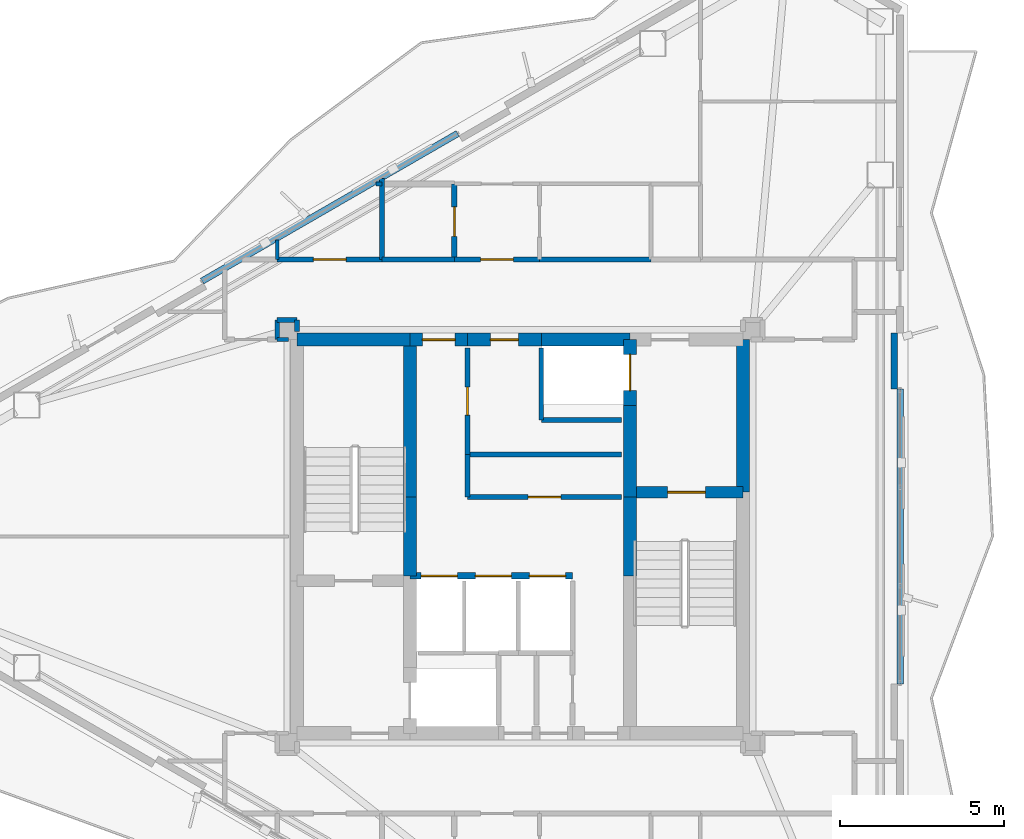
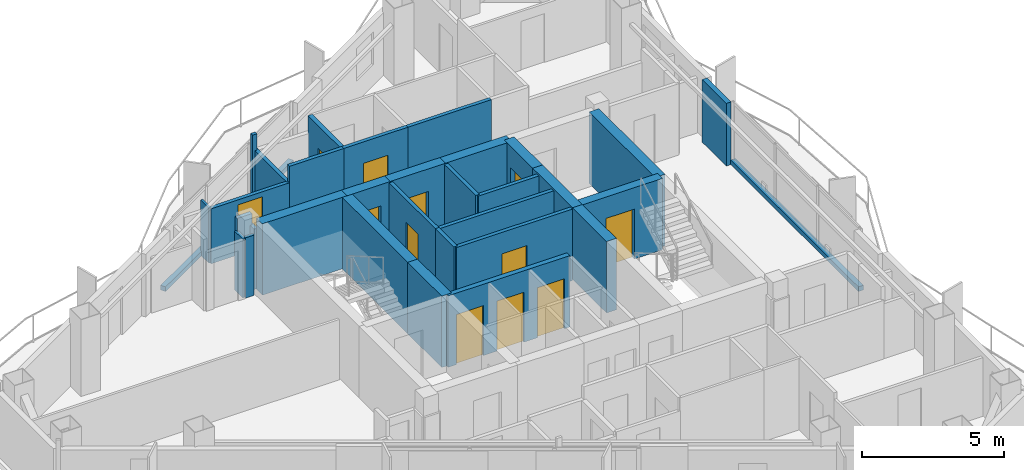
# One storey, part 18 of 22: 33 walls, 12 doors, 12 openings.
"""IFC4 building model written with IfcOpenShell, lengths in metres."""

import ifcopenshell
import ifcopenshell.guid

model = None  # the IFC model being written
_history = None  # IfcOwnerHistory: only IFC2X3 demands one
_inside = {}  # id of a spatial element -> (the spatial element, [elements in it])
_under = {}  # id of a project, library or spatial element -> (it, [spatial elements below it])
_declared = {}  # id of a project -> (the project, [libraries it declares])
_typed = {}  # id of a type object -> (the type object, [elements of that type])
_made_of = {}  # id of a material, layer set ... -> (it, [elements and type objects made of it])


def new_model(schema):
    """Start an empty IFC model of exactly this schema.

    Asked for "IFC4X3", IfcOpenShell would pick the latest addendum, in which some entities
    have other attributes; the version numbers below select the first issue.
    IFC2X3 requires an IfcOwnerHistory on every rooted entity: one is made here for all.
    """
    global model, _history
    if schema == "IFC4X3":
        model = ifcopenshell.file(schema_version=(4, 3, 0, 0))
    else:
        model = ifcopenshell.file(schema=schema)
    _inside.clear()
    _under.clear()
    _declared.clear()
    _typed.clear()
    _made_of.clear()
    _history = None
    if model.schema == "IFC2X3":
        org = make("IfcOrganization", Name="unknown")
        user = make(
            "IfcPersonAndOrganization",
            ThePerson=make("IfcPerson", FamilyName="unknown"),
            TheOrganization=org,
        )
        app = make(
            "IfcApplication",
            ApplicationDeveloper=org,
            Version="unknown",
            ApplicationFullName="unknown",
            ApplicationIdentifier="unknown",
        )
        _history = make(
            "IfcOwnerHistory",
            OwningUser=user,
            OwningApplication=app,
            ChangeAction="ADDED",
            CreationDate=0,
        )
    return model


def make(cls, **values):
    """One entity of the class cls with the attributes given. An attribute that is None is left unset."""
    return model.create_entity(
        cls, **{name: value for name, value in values.items() if value is not None}
    )


def rooted(cls, **values):
    """An entity with a GlobalId (a new one), such as an element, a storey or a relation."""
    return make(cls, GlobalId=ifcopenshell.guid.new(), OwnerHistory=_history, **values)


def si_unit(unit_type, name, prefix=None):
    """IfcSIUnit, for example si_unit("LENGTHUNIT", "METRE", prefix="MILLI")."""
    return make("IfcSIUnit", UnitType=unit_type, Prefix=prefix, Name=name)


def assignment(units):
    """IfcUnitAssignment: the units of a project."""
    return None if units is None else make("IfcUnitAssignment", Units=units)


def point(xyz):
    """IfcCartesianPoint."""
    return None if xyz is None else make("IfcCartesianPoint", Coordinates=xyz)


def direction(xyz):
    """IfcDirection."""
    return None if xyz is None else make("IfcDirection", DirectionRatios=xyz)


def frame(location, z_axis=None, x_axis=None):
    """IfcAxis2Placement3D, a coordinate frame: its origin and axes. An axis left out is left unset."""
    return make(
        "IfcAxis2Placement3D",
        Location=point(location),
        Axis=direction(z_axis),
        RefDirection=direction(x_axis),
    )


def frame_2d(location, x_axis=None):
    """IfcAxis2Placement2D, a coordinate frame in the plane: its origin and x axis."""
    return make(
        "IfcAxis2Placement2D", Location=point(location), RefDirection=direction(x_axis)
    )


def origin():
    """The frame at (0, 0, 0) with its axes left unset."""
    return frame((0.0, 0.0, 0.0))


def place(relative_to, where):
    """IfcLocalPlacement: puts the frame where relative to a parent placement (None: the world)."""
    return make(
        "IfcLocalPlacement", PlacementRelTo=relative_to, RelativePlacement=where
    )


def context(
    kind, dimensions, precision=None, world=None, true_north=None, identifier=None
):
    """IfcGeometricRepresentationContext, for example the 3D "Model" context."""
    return make(
        "IfcGeometricRepresentationContext",
        ContextIdentifier=identifier,
        ContextType=kind,
        CoordinateSpaceDimension=dimensions,
        Precision=precision,
        WorldCoordinateSystem=world,
        TrueNorth=true_north,
    )


def subcontext(parent, identifier, kind, view, scale=None):
    """IfcGeometricRepresentationSubContext, for example "Body" below "Model"."""
    return make(
        "IfcGeometricRepresentationSubContext",
        ContextIdentifier=identifier,
        ContextType=kind,
        ParentContext=parent,
        TargetScale=scale,
        TargetView=view,
    )


def project(units=None, contexts=None):
    """IfcProject with its units and contexts."""
    return rooted(
        "IfcProject",
        Name="project",
        RepresentationContexts=contexts,
        UnitsInContext=assignment(units),
    )


def spatial(cls, under=None, at=None, **own):
    """A site, building, storey or space (cls), placed at a placement, below another one or the project."""
    s = rooted(cls, ObjectPlacement=at, **own)
    if under is not None:
        _under.setdefault(under.id(), (under, []))[1].append(s)
    return s


def profile(cls, at=None, kind="AREA", **sizes):
    """A parametric profile (cls). Its sizes go by their IFC names, for example OverallWidth=200.0."""
    return make(cls, ProfileType=kind, Position=at, **sizes)


def rectangle(**sizes):
    """IfcRectangleProfileDef."""
    return profile("IfcRectangleProfileDef", **sizes)


def extrude(swept, where, along, depth):
    """IfcExtrudedAreaSolid: the profile swept, set in the frame where, extruded along a direction by depth."""
    return make(
        "IfcExtrudedAreaSolid",
        SweptArea=swept,
        Position=where,
        ExtrudedDirection=direction(along),
        Depth=depth,
    )


def shape(context_of_items, identifier, shape_type, items):
    """IfcShapeRepresentation: the items that make up one representation, for example the "Body"."""
    return make(
        "IfcShapeRepresentation",
        ContextOfItems=context_of_items,
        RepresentationIdentifier=identifier,
        RepresentationType=shape_type,
        Items=items,
    )


def material(Name=None, Category=None):
    """IfcMaterial."""
    return make("IfcMaterial", Name=Name, Category=Category)


def layer(
    of_material, thickness, ventilated=None, Name=None, Category=None, Priority=None
):
    """IfcMaterialLayer: one layer of a wall or slab, of a material (None: an air gap)."""
    return make(
        "IfcMaterialLayer",
        Material=of_material,
        LayerThickness=thickness,
        IsVentilated=ventilated,
        Name=Name,
        Category=Category,
        Priority=Priority,
    )


def layer_set(layers, Name=None):
    """IfcMaterialLayerSet."""
    return make("IfcMaterialLayerSet", MaterialLayers=layers, LayerSetName=Name)


def made_of(thing, what):
    """Note that an element or type object is made of a material, layer set ...; save() writes the relation."""
    if what is not None:
        _made_of.setdefault(what.id(), (what, []))[1].append(thing)
    return thing


def type_object(cls, material=None, **own):
    """A type object (cls), such as IfcWallType, which elements share."""
    return made_of(rooted(cls, **own), material)


def element(
    cls,
    number,
    at=None,
    inside=None,
    cuts=None,
    type_object=None,
    material=None,
    context=None,
    identifier="Body",
    shape_type=None,
    held_by="IfcProductDefinitionShape",
    body=None,
    shapes=None,
    **own,
):
    """One element of the class cls, such as IfcWall. Its Tag is "e" and its number.

    at: its placement. inside: the storey or other place that contains it. cuts: it is an
    opening in that element (IfcRelVoidsElement). A single representation is given by context,
    identifier, shape_type and body (its items); several are given by shapes. held_by: the class
    of the entity that holds the representations. save() writes the other relations.
    """
    e = rooted(cls, Tag="e%d" % number, ObjectPlacement=at, **own)
    if body is not None:
        shapes = [shape(context, identifier, shape_type, body)]
    if shapes is not None:
        e.Representation = make(held_by, Representations=shapes)
    if inside is not None:
        _inside.setdefault(inside.id(), (inside, []))[1].append(e)
    if cuts is not None:
        rooted(
            "IfcRelVoidsElement", RelatingBuildingElement=cuts, RelatedOpeningElement=e
        )
    if type_object is not None:
        _typed.setdefault(type_object.id(), (type_object, []))[1].append(e)
    return made_of(e, material)


def fill(opening, filler):
    """IfcRelFillsElement: the door or window that sits in an opening."""
    return rooted(
        "IfcRelFillsElement",
        RelatingOpeningElement=opening,
        RelatedBuildingElement=filler,
    )


def aggregate(whole, parts):
    """IfcRelAggregates: a whole, such as a stair, and the parts it consists of."""
    return rooted("IfcRelAggregates", RelatingObject=whole, RelatedObjects=parts)


def save(model, path):
    """Write the relations noted so far, then the file.

    IfcRelAggregates (storeys below a building ...), IfcRelContainedInSpatialStructure (elements
    in a storey), IfcRelDefinesByType, IfcRelAssociatesMaterial and IfcRelDeclares: one each for
    every whole, place, type object, material and project.
    """
    for whole, parts in _under.values():
        aggregate(whole, parts)
    for where, things in _inside.values():
        rooted(
            "IfcRelContainedInSpatialStructure",
            RelatedElements=things,
            RelatingStructure=where,
        )
    for kind, things in _typed.values():
        rooted("IfcRelDefinesByType", RelatedObjects=things, RelatingType=kind)
    for what, things in _made_of.values():
        rooted("IfcRelAssociatesMaterial", RelatedObjects=things, RelatingMaterial=what)
    for by, libraries in _declared.values():
        rooted("IfcRelDeclares", RelatingContext=by, RelatedDefinitions=libraries)
    model.write(path)


model = new_model("IFC4")

# Units and contexts
model_context = context("Model", 3, precision=1e-05, world=origin(), true_north=direction((0.0, 1.0)))
body_context = subcontext(model_context, "Body", "Model", "MODEL_VIEW")
ifc_project = project(units=[si_unit("LENGTHUNIT", "METRE"), si_unit("AREAUNIT", "SQUARE_METRE"), si_unit("VOLUMEUNIT", "CUBIC_METRE"), si_unit("PLANEANGLEUNIT", "RADIAN"), si_unit("MASSUNIT", "GRAM", prefix="KILO")], contexts=[model_context])

# Site, building, storey
site_placement = place(None, origin())
site = spatial("IfcSite", under=ifc_project, at=site_placement, CompositionType="ELEMENT")
building_placement = place(site_placement, origin())
building = spatial("IfcBuilding", under=site, at=building_placement, Name="Mersakhor Tower and Convention Hall", CompositionType="ELEMENT")
storey_placement = place(building_placement, frame((0.0, 0.0, 205.199951171875)))
storey = spatial("IfcBuildingStorey", under=building, at=storey_placement, Name="L57", CompositionType="ELEMENT", Elevation=205.199951171875)

# Walls
ifc_material_1 = material(Name="Precast concrete C40/50", Category="concrete")
ifc_layer_1 = layer(ifc_material_1, 0.199951171875)
ifc_layer_set_1 = layer_set([ifc_layer_1], Name="Precast concrete C40/50")
wall_type_1 = type_object("IfcWallType", Name="WL-PAR-200", PredefinedType="PARAPET", material=ifc_layer_set_1)
wall_1_placement = place(storey_placement, frame((19.30908203125, 34.5361328125, 0.0), z_axis=(0.0, 0.0, 1.0), x_axis=(0.866020680503, 0.500008180874, 0.0)))
element("IfcWall", 1, at=wall_1_placement, inside=storey, type_object=wall_type_1, Name="L57 Curtain Wall Upstand Sill F1-B2", PredefinedType="PARAPET", context=body_context, shape_type="SweptSolid", body=[
    extrude(rectangle(XDim=8.998779296875, YDim=0.199951171875, at=frame_2d((4.49951171875, 0.0))), origin(), (0.0, 0.0, 1.0), 0.199951171875),
])
wall_2_placement = place(storey_placement, frame((40.58837890625, 31.24951171875, 0.0), z_axis=(0.0, 0.0, 1.0), x_axis=(0.0, -1.0, 0.0)))
element("IfcWall", 2, at=wall_2_placement, inside=storey, type_object=wall_type_1, Name="L57 Curtain Wall Upstand Sill F2-B2", PredefinedType="PARAPET", context=body_context, shape_type="SweptSolid", body=[
    extrude(rectangle(XDim=8.9990234375, YDim=0.199951171875, at=frame_2d((4.49951171875, 0.0))), origin(), (0.0, 0.0, 1.0), 0.199951171875),
])
wall_3_placement = place(storey_placement, frame((40.408447265625, 32.949462890625, 0.0), z_axis=(0.0, 0.0, 1.0), x_axis=(0.0, -1.0, 0.0)))
element("IfcWall", 3, at=wall_3_placement, inside=storey, type_object=wall_type_1, Name="L57 Column Pier Cladding Wall F2-C1", PredefinedType="PARAPET", context=body_context, shape_type="SweptSolid", body=[
    extrude(rectangle(XDim=1.699951171875, YDim=0.199951171875, at=frame_2d((0.85009765625, 0.0))), origin(), (0.0, 0.0, 1.0), 2.68994140625),
])

# Wall, opening, door
ifc_material_2 = material(Name="Moisture-resistant acoustic drywall studwork", Category="other")
ifc_layer_2 = layer(ifc_material_2, 0.175048828125)
ifc_layer_set_2 = layer_set([ifc_layer_2], Name="Moisture-resistant acoustic drywall studwork")
wall_type_2 = type_object("IfcWallType", Name="WL-PLM-175", PredefinedType="PLUMBINGWALL", material=ifc_layer_set_2)
wall_4_placement = place(storey_placement, frame((27.0, 35.199951171875, 0.0), z_axis=(0.0, 0.0, 1.0), x_axis=(0.0, 1.0, 0.0)))
wall_4 = element("IfcWall", 4, at=wall_4_placement, inside=storey, type_object=wall_type_2, Name="L57 Interior Partition Wall P-056", PredefinedType="PLUMBINGWALL", context=body_context, shape_type="SweptSolid", body=[
    extrude(rectangle(XDim=2.300048828125, YDim=0.175048828125, at=frame_2d((1.14990234375, 0.0))), origin(), (0.0, 0.0, 1.0), 3.070068359375),
])
opening_1_placement = place(wall_4_placement, frame((0.699951171875, 0.0, 0.0)))
opening_1 = element("IfcOpeningElement", 5, at=opening_1_placement, cuts=wall_4, Name="Opening WD-01", PredefinedType="OPENING", context=body_context, shape_type="SweptSolid", body=[
    extrude(rectangle(XDim=0.89990234375, YDim=2.10009765625, at=frame_2d((0.449951171875, 1.050048828125))), frame((0.0, 0.097412109375, 0.0), z_axis=(0.0, -1.0, 0.0), x_axis=(1.0, 0.0, 0.0)), (0.0, 0.0, 1.0), 0.195068359375),
])
ifc_material_3 = material(Name="Solid-core hardwood leaf in painted steel frame", Category="steel")
door_type_1 = type_object("IfcDoorType", Name="DR-INT-WET-090x210", OperationType="NOTDEFINED", PredefinedType="DOOR", material=ifc_material_3)
door_1_placement = place(opening_1_placement, origin())
door_1 = element("IfcDoor", 6, at=door_1_placement, inside=storey, type_object=door_type_1, Name="L57 L57 Flat N2 Apartment Hall to L57 Flat N2 Bathroom Door", OperationType="SINGLE_SWING_RIGHT", OverallHeight=2.10009765625, OverallWidth=0.89990234375, PredefinedType="DOOR", context=body_context, shape_type="SweptSolid", body=[
    extrude(rectangle(XDim=0.89990234375, YDim=2.10009765625, at=frame_2d((0.449951171875, 1.050048828125))), frame((0.0, 0.02490234375, 0.0), z_axis=(0.0, -1.0, 0.0), x_axis=(1.0, 0.0, 0.0)), (0.0, 0.0, 1.0), 0.050048828125),
])
fill(opening_1, door_1)

# Walls
ifc_material_4 = material(Name="Lightweight gypsum partition", Category="other")
ifc_layer_3 = layer(ifc_material_4, 0.10009765625)
ifc_layer_set_3 = layer_set([ifc_layer_3], Name="Lightweight gypsum partition")
wall_type_3 = type_object("IfcWallType", Name="WL-PRT-100", PredefinedType="PARTITIONING", material=ifc_layer_set_3)
wall_5_placement = place(storey_placement, frame((21.60009765625, 35.199951171875, 0.0), z_axis=(0.0, 0.0, 1.0), x_axis=(0.0, 1.0, 0.0)))
element("IfcWall", 7, at=wall_5_placement, inside=storey, type_object=wall_type_3, Name="L57 Interior Partition Wall P-082", PredefinedType="PARTITIONING", context=body_context, shape_type="SweptSolid", body=[
    extrude(rectangle(XDim=0.5849609375, YDim=0.10009765625, at=frame_2d((0.29248046875, 0.0))), origin(), (0.0, 0.0, 1.0), 2.364990234375),
])
ifc_material_5 = material(Name="Gypsum board acoustic partition", Category="other")
ifc_layer_4 = layer(ifc_material_5, 0.125)
ifc_layer_set_4 = layer_set([ifc_layer_4], Name="Gypsum board acoustic partition")
wall_type_4 = type_object("IfcWallType", Name="WL-PRT-125", PredefinedType="PARTITIONING", material=ifc_layer_set_4)
wall_6_placement = place(storey_placement, frame((21.60009765625, 32.75, 0.0), z_axis=(0.0, 0.0, 1.0), x_axis=(1.0, 0.0, 0.0)))
element("IfcWall", 8, at=wall_6_placement, inside=storey, type_object=wall_type_4, Name="L57 Interior Partition Wall P-071", PredefinedType="PARTITIONING", context=body_context, shape_type="SweptSolid", body=[
    extrude(rectangle(XDim=0.349853515625, YDim=0.125, at=frame_2d((0.1748046875, 0.0))), origin(), (0.0, 0.0, 1.0), 2.594970703125),
])
wall_7_placement = place(storey_placement, frame((24.61669921875, 37.5, 0.0), z_axis=(0.0, 0.0, 1.0), x_axis=(1.0, 0.0, 0.0)))
element("IfcWall", 9, at=wall_7_placement, inside=storey, type_object=wall_type_4, Name="L57 Interior Partition Wall P-081", PredefinedType="PARTITIONING", context=body_context, shape_type="SweptSolid", body=[
    extrude(rectangle(XDim=0.183349609375, YDim=0.125, at=frame_2d((0.091796875, 0.0))), origin(), (0.0, 0.0, 1.0), 3.070068359375),
])
ifc_material_6 = material(Name="Fire-rated gypsum board stud partition", Category="other")
ifc_layer_5 = layer(ifc_material_6, 0.14990234375)
ifc_layer_set_5 = layer_set([ifc_layer_5], Name="Fire-rated gypsum board stud partition")
wall_type_5 = type_object("IfcWallType", Name="WL-PRT-150", PredefinedType="PARTITIONING", material=ifc_layer_set_5)
wall_8_placement = place(storey_placement, frame((32.10009765625, 30.300048828125, 0.0), z_axis=(0.0, 0.0, 1.0), x_axis=(-1.0, 0.0, 0.0)))
element("IfcWall", 10, at=wall_8_placement, inside=storey, type_object=wall_type_5, Name="L57 Interior Partition Wall P-004", PredefinedType="PARTITIONING", context=body_context, shape_type="SweptSolid", body=[
    extrude(rectangle(XDim=2.4501953125, YDim=0.14990234375, at=frame_2d((1.22509765625, 0.0))), origin(), (0.0, 0.0, 1.0), 3.070068359375),
])
wall_9_placement = place(storey_placement, frame((29.64990234375, 30.300048828125, 0.0), z_axis=(0.0, 0.0, 1.0), x_axis=(0.0, 1.0, 0.0)))
element("IfcWall", 11, at=wall_9_placement, inside=storey, type_object=wall_type_5, Name="L57 Interior Partition Wall P-005", PredefinedType="PARTITIONING", context=body_context, shape_type="SweptSolid", body=[
    extrude(rectangle(XDim=2.199951171875, YDim=0.14990234375, at=frame_2d((1.10009765625, 0.0))), origin(), (0.0, 0.0, 1.0), 3.070068359375),
])

# Wall, opening, door
wall_10_placement = place(storey_placement, frame((27.39990234375, 32.5, 0.0), z_axis=(0.0, 0.0, 1.0), x_axis=(0.0, -1.0, 0.0)))
wall_10 = element("IfcWall", 12, at=wall_10_placement, inside=storey, type_object=wall_type_5, Name="L57 Interior Partition Wall P-013", PredefinedType="PARTITIONING", context=body_context, shape_type="SweptSolid", body=[
    extrude(rectangle(XDim=3.25, YDim=0.14990234375, at=frame_2d((1.625, 0.0))), origin(), (0.0, 0.0, 1.0), 3.070068359375),
])
opening_2_placement = place(wall_10_placement, frame((1.199951171875, 0.0, 0.0)))
opening_2 = element("IfcOpeningElement", 13, at=opening_2_placement, cuts=wall_10, Name="Opening SVD-01", PredefinedType="OPENING", context=body_context, shape_type="SweptSolid", body=[
    extrude(rectangle(XDim=0.85009765625, YDim=2.10009765625, at=frame_2d((0.425048828125, 1.050048828125))), frame((0.0, 0.0849609375, 0.0), z_axis=(0.0, -1.0, 0.0), x_axis=(1.0, 0.0, 0.0)), (0.0, 0.0, 1.0), 0.169921875),
])
ifc_material_7 = material(Name="Fire-rated hardwood leaf and painted steel frame", Category="steel")
door_type_2 = type_object("IfcDoorType", Name="DR-INT-SVC-085x210", OperationType="NOTDEFINED", PredefinedType="DOOR", material=ifc_material_7)
door_2_placement = place(opening_2_placement, origin())
door_2 = element("IfcDoor", 14, at=door_2_placement, inside=storey, type_object=door_type_2, Name="L57 Central Passenger Lift Lobby to Resident Recycling and Utility Store Door", OperationType="SINGLE_SWING_RIGHT", OverallHeight=2.10009765625, OverallWidth=0.85009765625, PredefinedType="DOOR", context=body_context, shape_type="SweptSolid", body=[
    extrude(rectangle(XDim=0.85009765625, YDim=2.10009765625, at=frame_2d((0.425048828125, 1.050048828125))), frame((0.0, 0.02490234375, 0.0), z_axis=(0.0, -1.0, 0.0), x_axis=(1.0, 0.0, 0.0)), (0.0, 0.0, 1.0), 0.050048828125),
])
fill(opening_2, door_2)

# Wall
wall_11_placement = place(storey_placement, frame((27.39990234375, 29.25, 0.0), z_axis=(0.0, 0.0, 1.0), x_axis=(0.0, -1.0, 0.0)))
element("IfcWall", 15, at=wall_11_placement, inside=storey, type_object=wall_type_5, Name="L57 Interior Partition Wall P-014", PredefinedType="PARTITIONING", context=body_context, shape_type="SweptSolid", body=[
    extrude(rectangle(XDim=1.300048828125, YDim=0.14990234375, at=frame_2d((0.64990234375, 0.0))), origin(), (0.0, 0.0, 1.0), 3.070068359375),
])

# Wall, opening, door
wall_12_placement = place(storey_placement, frame((27.39990234375, 27.949951171875, 0.0), z_axis=(0.0, 0.0, 1.0), x_axis=(1.0, 0.0, 0.0)))
wall_12 = element("IfcWall", 16, at=wall_12_placement, inside=storey, type_object=wall_type_5, Name="L57 Interior Partition Wall P-015", PredefinedType="PARTITIONING", context=body_context, shape_type="SweptSolid", body=[
    extrude(rectangle(XDim=4.7001953125, YDim=0.14990234375, at=frame_2d((2.35009765625, 0.0))), origin(), (0.0, 0.0, 1.0), 3.070068359375),
])
opening_3_placement = place(wall_12_placement, frame((1.85009765625, 0.0, 0.0)))
opening_3 = element("IfcOpeningElement", 17, at=opening_3_placement, cuts=wall_12, Name="Opening FD-01", PredefinedType="OPENING", context=body_context, shape_type="SweptSolid", body=[
    extrude(rectangle(XDim=1.0, YDim=2.14990234375, at=frame_2d((0.5, 1.074951171875))), frame((0.0, 0.0849609375, 0.0), z_axis=(0.0, -1.0, 0.0), x_axis=(1.0, 0.0, 0.0)), (0.0, 0.0, 1.0), 0.169921875),
])
ifc_material_8 = material(Name="Fire-rated hardwood leaf and painted steel frame", Category="steel")
door_type_3 = type_object("IfcDoorType", Name="DR-INT-FLT-100x215", OperationType="NOTDEFINED", PredefinedType="DOOR", material=ifc_material_8)
door_3_placement = place(opening_3_placement, origin())
door_3 = element("IfcDoor", 18, at=door_3_placement, inside=storey, type_object=door_type_3, Name="L57 Central Passenger Lift Lobby to Household Laundry Room Door", OperationType="SINGLE_SWING_LEFT", OverallHeight=2.14990234375, OverallWidth=1.0, PredefinedType="DOOR", context=body_context, shape_type="SweptSolid", body=[
    extrude(rectangle(XDim=1.0, YDim=2.14990234375, at=frame_2d((0.5, 1.074951171875))), frame((0.0, 0.02490234375, 0.0), z_axis=(0.0, -1.0, 0.0), x_axis=(1.0, 0.0, 0.0)), (0.0, 0.0, 1.0), 0.050048828125),
])
fill(opening_3, door_3)

# Walls
wall_13_placement = place(storey_placement, frame((22.199951171875, 33.0, 0.0), z_axis=(0.0, 0.0, 1.0), x_axis=(0.0, 1.0, 0.0)))
element("IfcWall", 19, at=wall_13_placement, inside=storey, type_object=wall_type_5, Name="L57 Interior Partition Wall P-022", PredefinedType="PARTITIONING", context=body_context, shape_type="SweptSolid", body=[
    extrude(rectangle(XDim=0.35009765625, YDim=0.14990234375, at=frame_2d((0.175048828125, 0.0))), origin(), (0.0, 0.0, 1.0), 2.594970703125),
])
wall_14_placement = place(storey_placement, frame((22.199951171875, 33.35009765625, 0.0), z_axis=(0.0, 0.0, 1.0), x_axis=(-1.0, 0.0, 0.0)))
element("IfcWall", 20, at=wall_14_placement, inside=storey, type_object=wall_type_5, Name="L57 Interior Partition Wall P-023", PredefinedType="PARTITIONING", context=body_context, shape_type="SweptSolid", body=[
    extrude(rectangle(XDim=0.599853515625, YDim=0.14990234375, at=frame_2d((0.2998046875, 0.0))), origin(), (0.0, 0.0, 1.0), 3.070068359375),
])
wall_15_placement = place(storey_placement, frame((21.60009765625, 33.35009765625, 0.0), z_axis=(0.0, 0.0, 1.0), x_axis=(0.0, -1.0, 0.0)))
element("IfcWall", 21, at=wall_15_placement, inside=storey, type_object=wall_type_5, Name="L57 Interior Partition Wall P-024", PredefinedType="PARTITIONING", context=body_context, shape_type="SweptSolid", body=[
    extrude(rectangle(XDim=0.60009765625, YDim=0.14990234375, at=frame_2d((0.300048828125, 0.0))), origin(), (0.0, 0.0, 1.0), 2.518310546875),
])

# Wall, opening, door
wall_16_placement = place(storey_placement, frame((21.60009765625, 35.199951171875, 0.0), z_axis=(0.0, 0.0, 1.0), x_axis=(1.0, 0.0, 0.0)))
wall_16 = element("IfcWall", 22, at=wall_16_placement, inside=storey, type_object=wall_type_5, Name="L57 Interior Partition Wall P-029", PredefinedType="PARTITIONING", context=body_context, shape_type="SweptSolid", body=[
    extrude(rectangle(XDim=3.199951171875, YDim=0.14990234375, at=frame_2d((1.60009765625, 0.0))), origin(), (0.0, 0.0, 1.0), 2.364990234375),
])
opening_4_placement = place(wall_16_placement, frame((1.10009765625, 0.0, 0.0)))
opening_4 = element("IfcOpeningElement", 23, at=opening_4_placement, cuts=wall_16, Name="Opening FD-01", PredefinedType="OPENING", context=body_context, shape_type="SweptSolid", body=[
    extrude(rectangle(XDim=1.0, YDim=2.14990234375, at=frame_2d((0.5, 1.074951171875))), frame((0.0, 0.0849609375, 0.0), z_axis=(0.0, -1.0, 0.0), x_axis=(1.0, 0.0, 0.0)), (0.0, 0.0, 1.0), 0.169921875),
])
door_4_placement = place(opening_4_placement, origin())
door_4 = element("IfcDoor", 24, at=door_4_placement, inside=storey, type_object=door_type_3, Name="L57 Residential North Gallery Corridor to L57 Floor Shared Tea Pantry 1-1 Door", OperationType="SINGLE_SWING_LEFT", OverallHeight=2.14990234375, OverallWidth=1.0, PredefinedType="DOOR", context=body_context, shape_type="SweptSolid", body=[
    extrude(rectangle(XDim=1.0, YDim=2.14990234375, at=frame_2d((0.5, 1.074951171875))), frame((0.0, 0.02490234375, 0.0), z_axis=(0.0, -1.0, 0.0), x_axis=(1.0, 0.0, 0.0)), (0.0, 0.0, 1.0), 0.050048828125),
])
fill(opening_4, door_4)

# Wall
wall_17_placement = place(storey_placement, frame((24.800048828125, 35.199951171875, 0.0), z_axis=(0.0, 0.0, 1.0), x_axis=(1.0, 0.0, 0.0)))
element("IfcWall", 25, at=wall_17_placement, inside=storey, type_object=wall_type_5, Name="L57 Interior Partition Wall P-030", PredefinedType="PARTITIONING", context=body_context, shape_type="SweptSolid", body=[
    extrude(rectangle(XDim=2.199951171875, YDim=0.14990234375, at=frame_2d((1.10009765625, 0.0))), origin(), (0.0, 0.0, 1.0), 3.070068359375),
])

# Wall, opening, door
wall_18_placement = place(storey_placement, frame((27.0, 35.199951171875, 0.0), z_axis=(0.0, 0.0, 1.0), x_axis=(1.0, 0.0, 0.0)))
wall_18 = element("IfcWall", 26, at=wall_18_placement, inside=storey, type_object=wall_type_5, Name="L57 Interior Partition Wall P-031", PredefinedType="PARTITIONING", context=body_context, shape_type="SweptSolid", body=[
    extrude(rectangle(XDim=2.60009765625, YDim=0.14990234375, at=frame_2d((1.300048828125, 0.0))), origin(), (0.0, 0.0, 1.0), 3.070068359375),
])
opening_5_placement = place(wall_18_placement, frame((0.800048828125, 0.0, 0.0)))
opening_5 = element("IfcOpeningElement", 27, at=opening_5_placement, cuts=wall_18, Name="Opening FD-01", PredefinedType="OPENING", context=body_context, shape_type="SweptSolid", body=[
    extrude(rectangle(XDim=1.0, YDim=2.14990234375, at=frame_2d((0.5, 1.074951171875))), frame((0.0, 0.0849609375, 0.0), z_axis=(0.0, -1.0, 0.0), x_axis=(1.0, 0.0, 0.0)), (0.0, 0.0, 1.0), 0.169921875),
])
door_5_placement = place(opening_5_placement, origin())
door_5 = element("IfcDoor", 28, at=door_5_placement, inside=storey, type_object=door_type_3, Name="L57 Apartment Entrance Door (Residential North Gallery Corridor to L57 Flat N2 Apartment Hall)", OperationType="SINGLE_SWING_LEFT", OverallHeight=2.14990234375, OverallWidth=1.0, PredefinedType="DOOR", context=body_context, shape_type="SweptSolid", body=[
    extrude(rectangle(XDim=1.0, YDim=2.14990234375, at=frame_2d((0.5, 1.074951171875))), frame((0.0, 0.02490234375, 0.0), z_axis=(0.0, -1.0, 0.0), x_axis=(1.0, 0.0, 0.0)), (0.0, 0.0, 1.0), 0.050048828125),
])
fill(opening_5, door_5)

# Walls
wall_19_placement = place(storey_placement, frame((29.60009765625, 35.199951171875, 0.0), z_axis=(0.0, 0.0, 1.0), x_axis=(1.0, 0.0, 0.0)))
element("IfcWall", 29, at=wall_19_placement, inside=storey, type_object=wall_type_5, Name="L57 Interior Partition Wall P-032", PredefinedType="PARTITIONING", context=body_context, shape_type="SweptSolid", body=[
    extrude(rectangle(XDim=3.39990234375, YDim=0.14990234375, at=frame_2d((1.699951171875, 0.0))), origin(), (0.0, 0.0, 1.0), 3.070068359375),
])
wall_20_placement = place(storey_placement, frame((24.800048828125, 35.199951171875, 0.0), z_axis=(0.0, 0.0, 1.0), x_axis=(0.0, 1.0, 0.0)))
element("IfcWall", 30, at=wall_20_placement, inside=storey, type_object=wall_type_5, Name="L57 Interior Partition Wall P-061", PredefinedType="PARTITIONING", context=body_context, shape_type="SweptSolid", body=[
    extrude(rectangle(XDim=2.46240234375, YDim=0.14990234375, at=frame_2d((1.231201171875, 0.0))), origin(), (0.0, 0.0, 1.0), 2.364990234375),
])
wall_21_placement = place(storey_placement, frame((32.10009765625, 29.25, 0.0), z_axis=(0.0, 0.0, 1.0), x_axis=(-1.0, 0.0, 0.0)))
element("IfcWall", 31, at=wall_21_placement, inside=storey, type_object=wall_type_5, Name="L57 Interior Partition Wall P-068", PredefinedType="PARTITIONING", context=body_context, shape_type="SweptSolid", body=[
    extrude(rectangle(XDim=4.7001953125, YDim=0.14990234375, at=frame_2d((2.35009765625, 0.0))), origin(), (0.0, 0.0, 1.0), 3.070068359375),
])

# Wall, openings, doors
ifc_material_9 = material(Name="Acoustic concrete blockwork and gypsum board", Category="masonry")
ifc_layer_6 = layer(ifc_material_9, 0.199951171875)
ifc_layer_set_6 = layer_set([ifc_layer_6], Name="Acoustic concrete blockwork and gypsum board")
wall_type_6 = type_object("IfcWallType", Name="WL-PRT-200", PredefinedType="PARTITIONING", material=ifc_layer_set_6)
wall_22_placement = place(storey_placement, frame((25.64990234375, 25.550048828125, 0.0), z_axis=(0.0, 0.0, 1.0), x_axis=(1.0, 0.0, 0.0)))
wall_22 = element("IfcWall", 32, at=wall_22_placement, inside=storey, type_object=wall_type_6, Name="L57 High-Rise Lift Bank Front Wall", PredefinedType="PARTITIONING", context=body_context, shape_type="SweptSolid", body=[
    extrude(rectangle(XDim=4.9501953125, YDim=0.199951171875, at=frame_2d((2.47509765625, 0.0))), origin(), (0.0, 0.0, 1.0), 3.070068359375),
])
opening_6_placement = place(wall_22_placement, frame((0.340087890625, 0.0, 0.0)))
opening_6 = element("IfcOpeningElement", 33, at=opening_6_placement, cuts=wall_22, Name="Opening LD-P4", PredefinedType="OPENING", context=body_context, shape_type="SweptSolid", body=[
    extrude(rectangle(XDim=1.10009765625, YDim=2.14990234375, at=frame_2d((0.550048828125, 1.074951171875))), frame((0.0, 0.10986328125, 0.0), z_axis=(0.0, -1.0, 0.0), x_axis=(1.0, 0.0, 0.0)), (0.0, 0.0, 1.0), 0.219970703125),
])
opening_7_placement = place(wall_22_placement, frame((1.989990234375, 0.0, 0.0)))
opening_7 = element("IfcOpeningElement", 34, at=opening_7_placement, cuts=wall_22, Name="Opening LD-P5", PredefinedType="OPENING", context=body_context, shape_type="SweptSolid", body=[
    extrude(rectangle(XDim=1.10009765625, YDim=2.14990234375, at=frame_2d((0.550048828125, 1.074951171875))), frame((0.0, 0.10986328125, 0.0), z_axis=(0.0, -1.0, 0.0), x_axis=(1.0, 0.0, 0.0)), (0.0, 0.0, 1.0), 0.219970703125),
])
opening_8_placement = place(wall_22_placement, frame((3.639892578125, 0.0, 0.0)))
opening_8 = element("IfcOpeningElement", 35, at=opening_8_placement, cuts=wall_22, Name="Opening LD-P6", PredefinedType="OPENING", context=body_context, shape_type="SweptSolid", body=[
    extrude(rectangle(XDim=1.10009765625, YDim=2.14990234375, at=frame_2d((0.550048828125, 1.074951171875))), frame((0.0, 0.10986328125, 0.0), z_axis=(0.0, -1.0, 0.0), x_axis=(1.0, 0.0, 0.0)), (0.0, 0.0, 1.0), 0.219970703125),
])
ifc_material_10 = material(Name="Fire-rated brushed stainless steel sliding landing door", Category="steel")
door_type_4 = type_object("IfcDoorType", Name="DR-LIFT-SLD-110x215", OperationType="NOTDEFINED", PredefinedType="DOOR", material=ifc_material_10)
door_6_placement = place(opening_6_placement, origin())
door_6 = element("IfcDoor", 36, at=door_6_placement, inside=storey, type_object=door_type_4, Name="L57 Lift Landing Door LD-P4", OperationType="SLIDING_TO_LEFT", OverallHeight=2.14990234375, OverallWidth=1.10009765625, PredefinedType="DOOR", context=body_context, shape_type="SweptSolid", body=[
    extrude(rectangle(XDim=1.10009765625, YDim=2.14990234375, at=frame_2d((0.550048828125, 1.074951171875))), frame((0.0, 0.02490234375, 0.0), z_axis=(0.0, -1.0, 0.0), x_axis=(1.0, 0.0, 0.0)), (0.0, 0.0, 1.0), 0.050048828125),
])
fill(opening_6, door_6)
door_7_placement = place(opening_7_placement, origin())
door_7 = element("IfcDoor", 37, at=door_7_placement, inside=storey, type_object=door_type_4, Name="L57 Lift Landing Door LD-P5", OperationType="SLIDING_TO_LEFT", OverallHeight=2.14990234375, OverallWidth=1.10009765625, PredefinedType="DOOR", context=body_context, shape_type="SweptSolid", body=[
    extrude(rectangle(XDim=1.10009765625, YDim=2.14990234375, at=frame_2d((0.550048828125, 1.074951171875))), frame((0.0, 0.02490234375, 0.0), z_axis=(0.0, -1.0, 0.0), x_axis=(1.0, 0.0, 0.0)), (0.0, 0.0, 1.0), 0.050048828125),
])
fill(opening_7, door_7)
door_8_placement = place(opening_8_placement, origin())
door_8 = element("IfcDoor", 38, at=door_8_placement, inside=storey, type_object=door_type_4, Name="L57 Lift Landing Door LD-P6", OperationType="SLIDING_TO_LEFT", OverallHeight=2.14990234375, OverallWidth=1.10009765625, PredefinedType="DOOR", context=body_context, shape_type="SweptSolid", body=[
    extrude(rectangle(XDim=1.10009765625, YDim=2.14990234375, at=frame_2d((0.550048828125, 1.074951171875))), frame((0.0, 0.02490234375, 0.0), z_axis=(0.0, -1.0, 0.0), x_axis=(1.0, 0.0, 0.0)), (0.0, 0.0, 1.0), 0.050048828125),
])
fill(opening_8, door_8)

# Wall, opening, door
ifc_material_11 = material(Name="Concrete C50/60", Category="concrete")
ifc_layer_7 = layer(ifc_material_11, 0.35009765625)
ifc_layer_set_7 = layer_set([ifc_layer_7], Name="Concrete C50/60")
wall_type_7 = type_object("IfcWallType", Name="WL-SHR-350", PredefinedType="SHEAR", material=ifc_layer_set_7)
wall_23_placement = place(storey_placement, frame((32.35009765625, 28.10009765625, 0.0), z_axis=(0.0, 0.0, 1.0), x_axis=(1.0, 0.0, 0.0)))
wall_23 = element("IfcWall", 39, at=wall_23_placement, inside=storey, type_object=wall_type_7, Name="L57 Core Wall CS-ST2-N", PredefinedType="SHEAR", context=body_context, shape_type="SweptSolid", body=[
    extrude(rectangle(XDim=3.449951171875, YDim=0.35009765625, at=frame_2d((1.72509765625, 0.0))), origin(), (0.0, 0.0, 1.0), 3.070068359375),
])
opening_9_placement = place(wall_23_placement, frame((1.14990234375, 0.0, 0.0)))
opening_9 = element("IfcOpeningElement", 40, at=opening_9_placement, cuts=wall_23, Name="Opening SD-01", PredefinedType="OPENING", context=body_context, shape_type="SweptSolid", body=[
    extrude(rectangle(XDim=1.14990234375, YDim=2.14990234375, at=frame_2d((0.574951171875, 1.074951171875))), frame((0.0, 0.18505859375, 0.0), z_axis=(0.0, -1.0, 0.0), x_axis=(1.0, 0.0, 0.0)), (0.0, 0.0, 1.0), 0.3701171875),
])
ifc_material_12 = material(Name="Fire-rated hardwood leaf and painted steel frame", Category="steel")
door_type_5 = type_object("IfcDoorType", Name="DR-INT-STAIR-115x215", OperationType="NOTDEFINED", PredefinedType="DOOR", material=ifc_material_12)
door_9_placement = place(opening_9_placement, origin())
door_9 = element("IfcDoor", 41, at=door_9_placement, inside=storey, type_object=door_type_5, Name="L57 Exit Stair ST-2 Enclosure Door", OperationType="SINGLE_SWING_RIGHT", OverallHeight=2.14990234375, OverallWidth=1.14990234375, PredefinedType="DOOR", context=body_context, shape_type="SweptSolid", body=[
    extrude(rectangle(XDim=1.14990234375, YDim=2.14990234375, at=frame_2d((0.574951171875, 1.074951171875))), frame((0.0, 0.02490234375, 0.0), z_axis=(0.0, -1.0, 0.0), x_axis=(1.0, 0.0, 0.0)), (0.0, 0.0, 1.0), 0.050048828125),
])
fill(opening_9, door_9)

# Wall
ifc_material_13 = material(Name="Concrete C60/75", Category="concrete")
ifc_layer_8 = layer(ifc_material_13, 0.39990234375)
ifc_layer_set_8 = layer_set([ifc_layer_8], Name="Concrete C60/75")
wall_type_8 = type_object("IfcWallType", Name="WL-SHR-400", PredefinedType="SHEAR", material=ifc_layer_set_8)
wall_24_placement = place(storey_placement, frame((22.199951171875, 32.75, 0.0), z_axis=(0.0, 0.0, 1.0), x_axis=(1.0, 0.0, 0.0)))
element("IfcWall", 42, at=wall_24_placement, inside=storey, type_object=wall_type_8, Name="L57 Core Wall CW-N1", PredefinedType="SHEAR", context=body_context, shape_type="SweptSolid", body=[
    extrude(rectangle(XDim=3.449951171875, YDim=0.39990234375, at=frame_2d((1.72509765625, 0.0))), origin(), (0.0, 0.0, 1.0), 3.070068359375),
])

# Wall, opening, door
wall_25_placement = place(storey_placement, frame((25.64990234375, 32.75, 0.0), z_axis=(0.0, 0.0, 1.0), x_axis=(1.0, 0.0, 0.0)))
wall_25 = element("IfcWall", 43, at=wall_25_placement, inside=storey, type_object=wall_type_8, Name="L57 Core Wall CW-N2A", PredefinedType="SHEAR", context=body_context, shape_type="SweptSolid", body=[
    extrude(rectangle(XDim=1.75, YDim=0.39990234375, at=frame_2d((0.875, 0.0))), origin(), (0.0, 0.0, 1.0), 3.070068359375),
])
opening_10_placement = place(wall_25_placement, frame((0.375, 0.0, 0.0)))
opening_10 = element("IfcOpeningElement", 44, at=opening_10_placement, cuts=wall_25, Name="Opening CFD-01", PredefinedType="OPENING", context=body_context, shape_type="SweptSolid", body=[
    extrude(rectangle(XDim=1.0, YDim=2.14990234375, at=frame_2d((0.5, 1.074951171875))), frame((0.0, 0.2099609375, 0.0), z_axis=(0.0, -1.0, 0.0), x_axis=(1.0, 0.0, 0.0)), (0.0, 0.0, 1.0), 0.419921875),
])
ifc_material_14 = material(Name="Fire-rated hardwood leaf and painted steel frame", Category="steel")
door_type_6 = type_object("IfcDoorType", Name="DR-CORE-FD-100x215", OperationType="NOTDEFINED", PredefinedType="DOOR", material=ifc_material_14)
door_10_placement = place(opening_10_placement, origin())
door_10 = element("IfcDoor", 45, at=door_10_placement, inside=storey, type_object=door_type_6, Name="L57 Lift Lobby North Corridor Door", OperationType="SINGLE_SWING_LEFT", OverallHeight=2.14990234375, OverallWidth=1.0, PredefinedType="DOOR", context=body_context, shape_type="SweptSolid", body=[
    extrude(rectangle(XDim=1.0, YDim=2.14990234375, at=frame_2d((0.5, 1.074951171875))), frame((0.0, 0.02490234375, 0.0), z_axis=(0.0, -1.0, 0.0), x_axis=(1.0, 0.0, 0.0)), (0.0, 0.0, 1.0), 0.050048828125),
])
fill(opening_10, door_10)

wall_26_placement = place(storey_placement, frame((27.39990234375, 32.75, 0.0), z_axis=(0.0, 0.0, 1.0), x_axis=(1.0, 0.0, 0.0)))
wall_26 = element("IfcWall", 46, at=wall_26_placement, inside=storey, type_object=wall_type_8, Name="L57 Core Wall CW-N2B", PredefinedType="SHEAR", context=body_context, shape_type="SweptSolid", body=[
    extrude(rectangle(XDim=2.25, YDim=0.39990234375, at=frame_2d((1.125, 0.0))), origin(), (0.0, 0.0, 1.0), 3.070068359375),
])
opening_11_placement = place(wall_26_placement, frame((0.699951171875, 0.0, 0.0)))
opening_11 = element("IfcOpeningElement", 47, at=opening_11_placement, cuts=wall_26, Name="Opening SVD-01", PredefinedType="OPENING", context=body_context, shape_type="SweptSolid", body=[
    extrude(rectangle(XDim=0.85009765625, YDim=2.10009765625, at=frame_2d((0.425048828125, 1.050048828125))), frame((0.0, 0.2099609375, 0.0), z_axis=(0.0, -1.0, 0.0), x_axis=(1.0, 0.0, 0.0)), (0.0, 0.0, 1.0), 0.419921875),
])
door_11_placement = place(opening_11_placement, origin())
door_11 = element("IfcDoor", 48, at=door_11_placement, inside=storey, type_object=door_type_2, Name="L57 Residential North Gallery Corridor to Resident Recycling and Utility Store Door", OperationType="SINGLE_SWING_RIGHT", OverallHeight=2.10009765625, OverallWidth=0.85009765625, PredefinedType="DOOR", context=body_context, shape_type="SweptSolid", body=[
    extrude(rectangle(XDim=0.85009765625, YDim=2.10009765625, at=frame_2d((0.425048828125, 1.050048828125))), frame((0.0, 0.02490234375, 0.0), z_axis=(0.0, -1.0, 0.0), x_axis=(1.0, 0.0, 0.0)), (0.0, 0.0, 1.0), 0.050048828125),
])
fill(opening_11, door_11)

# Walls
wall_27_placement = place(storey_placement, frame((29.64990234375, 32.75, 0.0), z_axis=(0.0, 0.0, 1.0), x_axis=(1.0, 0.0, 0.0)))
element("IfcWall", 49, at=wall_27_placement, inside=storey, type_object=wall_type_8, Name="L57 Core Wall CW-N3", PredefinedType="SHEAR", context=body_context, shape_type="SweptSolid", body=[
    extrude(rectangle(XDim=2.7001953125, YDim=0.39990234375, at=frame_2d((1.35009765625, 0.0))), origin(), (0.0, 0.0, 1.0), 3.070068359375),
])
wall_28_placement = place(storey_placement, frame((35.800048828125, 32.75, 0.0), z_axis=(0.0, 0.0, 1.0), x_axis=(0.0, -1.0, 0.0)))
element("IfcWall", 50, at=wall_28_placement, inside=storey, type_object=wall_type_8, Name="L57 Core Wall CW-E1", PredefinedType="SHEAR", context=body_context, shape_type="SweptSolid", body=[
    extrude(rectangle(XDim=4.64990234375, YDim=0.39990234375, at=frame_2d((2.324951171875, 0.0))), origin(), (0.0, 0.0, 1.0), 3.070068359375),
])
wall_29_placement = place(storey_placement, frame((25.64990234375, 25.550048828125, 0.0), z_axis=(0.0, 0.0, 1.0), x_axis=(0.0, 1.0, 0.0)))
element("IfcWall", 51, at=wall_29_placement, inside=storey, type_object=wall_type_8, Name="L57 Core Wall CS-W-LOB", PredefinedType="SHEAR", context=body_context, shape_type="SweptSolid", body=[
    extrude(rectangle(XDim=2.39990234375, YDim=0.39990234375, at=frame_2d((1.199951171875, 0.0))), origin(), (0.0, 0.0, 1.0), 3.070068359375),
])
wall_30_placement = place(storey_placement, frame((25.64990234375, 27.949951171875, 0.0), z_axis=(0.0, 0.0, 1.0), x_axis=(0.0, 1.0, 0.0)))
element("IfcWall", 52, at=wall_30_placement, inside=storey, type_object=wall_type_8, Name="L57 Core Wall CS-W-ST1", PredefinedType="SHEAR", context=body_context, shape_type="SweptSolid", body=[
    extrude(rectangle(XDim=4.800048828125, YDim=0.39990234375, at=frame_2d((2.39990234375, 0.0))), origin(), (0.0, 0.0, 1.0), 3.070068359375),
])
wall_31_placement = place(storey_placement, frame((32.35009765625, 25.550048828125, 0.0), z_axis=(0.0, 0.0, 1.0), x_axis=(0.0, 1.0, 0.0)))
element("IfcWall", 53, at=wall_31_placement, inside=storey, type_object=wall_type_8, Name="L57 Core Wall CS-E-LOB", PredefinedType="SHEAR", context=body_context, shape_type="SweptSolid", body=[
    extrude(rectangle(XDim=2.39990234375, YDim=0.39990234375, at=frame_2d((1.199951171875, 0.0))), origin(), (0.0, 0.0, 1.0), 3.070068359375),
])
wall_32_placement = place(storey_placement, frame((32.35009765625, 27.949951171875, 0.0), z_axis=(0.0, 0.0, 1.0), x_axis=(0.0, 1.0, 0.0)))
element("IfcWall", 54, at=wall_32_placement, inside=storey, type_object=wall_type_8, Name="L57 Core Wall CS-E-MID", PredefinedType="SHEAR", context=body_context, shape_type="SweptSolid", body=[
    extrude(rectangle(XDim=2.800048828125, YDim=0.39990234375, at=frame_2d((1.39990234375, 0.0))), origin(), (0.0, 0.0, 1.0), 3.070068359375),
])

# Wall, opening, door
wall_33_placement = place(storey_placement, frame((32.35009765625, 30.75, 0.0), z_axis=(0.0, 0.0, 1.0), x_axis=(0.0, 1.0, 0.0)))
wall_33 = element("IfcWall", 55, at=wall_33_placement, inside=storey, type_object=wall_type_8, Name="L57 Core Wall CS-E-FFL", PredefinedType="SHEAR", context=body_context, shape_type="SweptSolid", body=[
    extrude(rectangle(XDim=2.0, YDim=0.39990234375, at=frame_2d((1.0, 0.0))), origin(), (0.0, 0.0, 1.0), 3.070068359375),
])
opening_12_placement = place(wall_33_placement, frame((0.449951171875, 0.0, 0.0)))
opening_12 = element("IfcOpeningElement", 56, at=opening_12_placement, cuts=wall_33, Name="Opening LD-FFL2", PredefinedType="OPENING", context=body_context, shape_type="SweptSolid", body=[
    extrude(rectangle(XDim=1.10009765625, YDim=2.14990234375, at=frame_2d((0.550048828125, 1.074951171875))), frame((0.0, 0.2099609375, 0.0), z_axis=(0.0, -1.0, 0.0), x_axis=(1.0, 0.0, 0.0)), (0.0, 0.0, 1.0), 0.419921875),
])
door_12_placement = place(opening_12_placement, origin())
door_12 = element("IfcDoor", 57, at=door_12_placement, inside=storey, type_object=door_type_4, Name="L57 Firefighting Lift Landing Door LD-FFL2", OperationType="SLIDING_TO_LEFT", OverallHeight=2.14990234375, OverallWidth=1.10009765625, PredefinedType="DOOR", context=body_context, shape_type="SweptSolid", body=[
    extrude(rectangle(XDim=1.10009765625, YDim=2.14990234375, at=frame_2d((0.550048828125, 1.074951171875))), frame((0.0, 0.02490234375, 0.0), z_axis=(0.0, -1.0, 0.0), x_axis=(1.0, 0.0, 0.0)), (0.0, 0.0, 1.0), 0.050048828125),
])
fill(opening_12, door_12)

save(model, "model.ifc")
